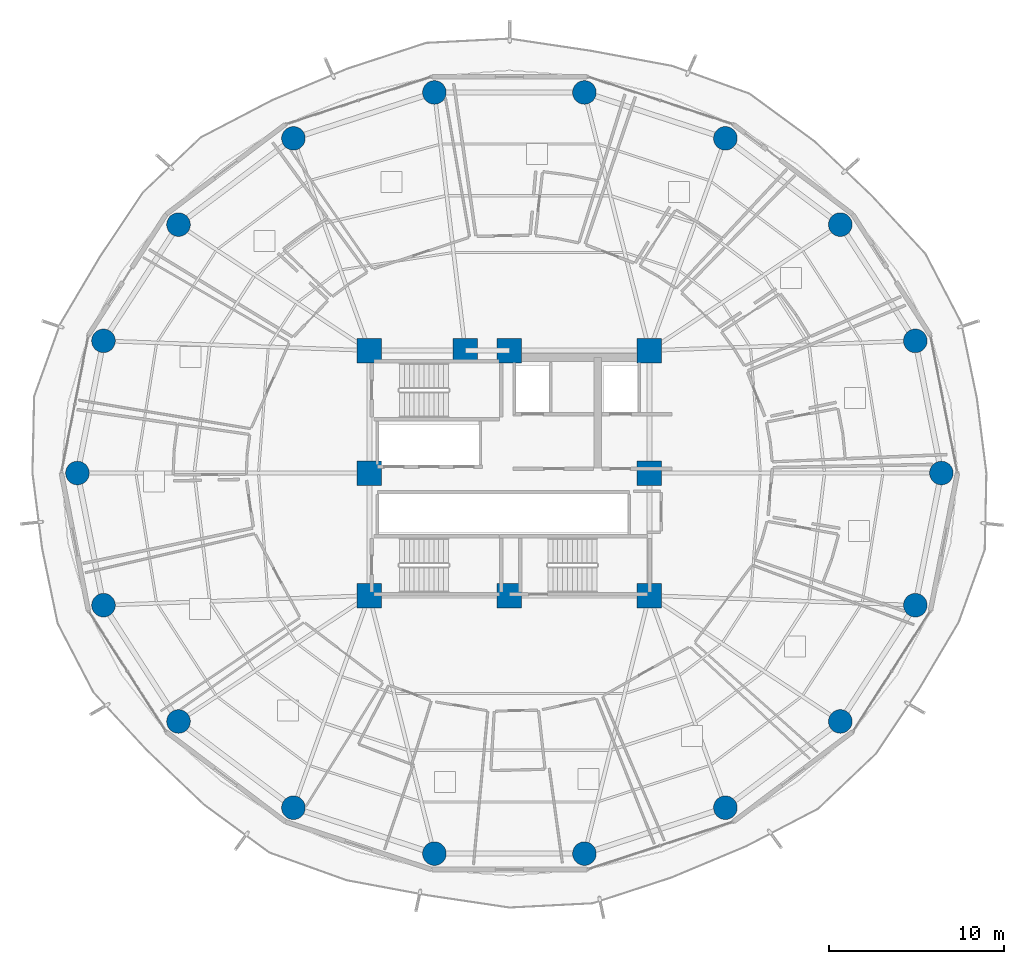
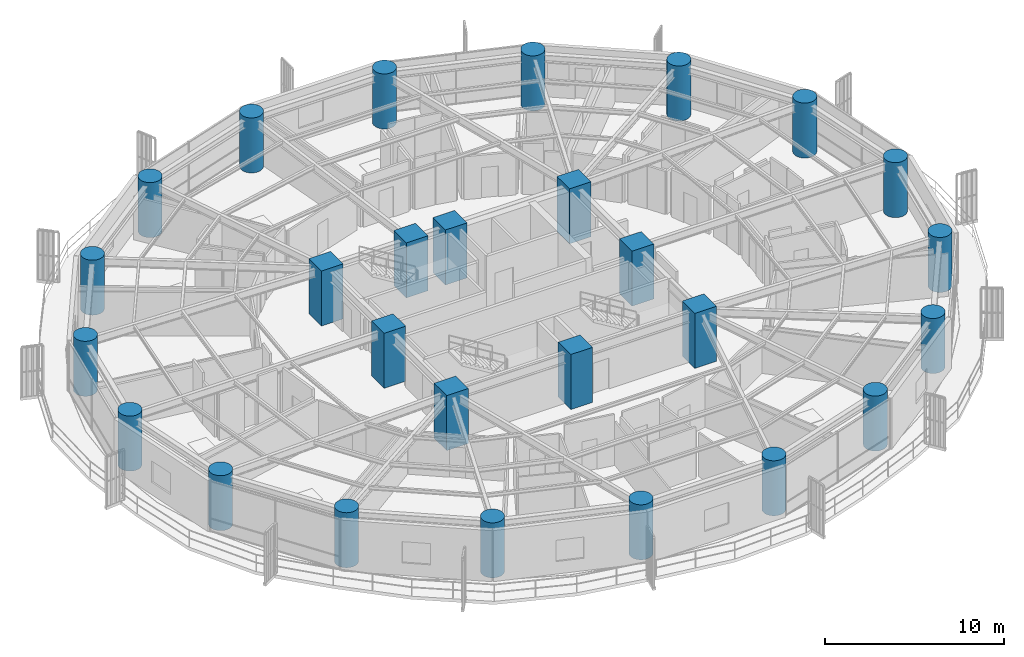
# One storey, part 1 of 35: 27 columns.
"""IFC4 building model written with IfcOpenShell, lengths in metres."""

from ifc_helpers import new_model, si_unit, direction, frame, origin, origin_2d, place, context, subcontext, project, spatial, rectangle, circle, extrude, material, material_profile, profile_set, type_object, element, save


model = new_model("IFC4")

# Units and contexts
model_context = context("Model", 3, precision=1e-05, world=origin(), true_north=direction((0.0, 1.0)))
body_context = subcontext(model_context, "Body", "Model", "MODEL_VIEW")
ifc_project = project(units=[si_unit("LENGTHUNIT", "METRE"), si_unit("AREAUNIT", "SQUARE_METRE"), si_unit("VOLUMEUNIT", "CUBIC_METRE"), si_unit("PLANEANGLEUNIT", "RADIAN"), si_unit("MASSUNIT", "GRAM", prefix="KILO")], contexts=[model_context])

# Site, building, storey
site_placement = place(None, origin())
site = spatial("IfcSite", under=ifc_project, at=site_placement, CompositionType="ELEMENT")
building_placement = place(site_placement, origin())
building = spatial("IfcBuilding", under=site, at=building_placement, Name="Kelanora Arch Commons", CompositionType="ELEMENT")
storey_placement = place(building_placement, frame((0.0, 0.0, 91.35009765625)))
storey = spatial("IfcBuildingStorey", under=building, at=storey_placement, Name="L23", CompositionType="ELEMENT", Elevation=91.35009765625)

# Columns
ifc_material = material(Name="Concrete C60/75", Category="concrete")
ifc_material_profile_1 = material_profile(ifc_material, circle(Radius=0.675048828125, at=origin_2d()), Name="RCC1350")
ifc_profile_set_1 = profile_set([ifc_material_profile_1], Name="Concrete C60/75")
column_type_1 = type_object("IfcColumnType", Name="COL-PERIM-Z2", PredefinedType="COLUMN", material=ifc_profile_set_1)
for number, where, z_axis, x_axis, name in (
    (1, (98.679931640625, 58.0, 0.0), (0.0, 0.0, 1.0), (1.0, 0.0, 0.0), "Perimeter Ring Column CP-00 L23"),
    (2, (97.191650390625, 65.5517578125, 0.0), (0.0, 0.0, 1.0), (1.0, 0.0, 0.0), "Perimeter Ring Column CP-02 L23"),
    (3, (92.906005859375, 72.19287109375, 0.0), (0.0, 0.0, 1.0), (1.0, 0.0, 0.0), "Perimeter Ring Column CP-04 L23"),
    (4, (86.340087890625, 77.121826171875, 0.0), (0.0, 0.0, 1.0), (1.0, 0.0, 0.0), "Perimeter Ring Column CP-06 L23"),
    (5, (78.28564453125, 79.74462890625, 0.0), (0.0, 0.0, 1.0), (1.0, 0.0, 0.0), "Perimeter Ring Column CP-08 L23"),
    (6, (69.71435546875, 79.74462890625, 0.0), (0.0, 0.0, 1.0), (1.0, 0.0, 0.0), "Perimeter Ring Column CP-10 L23"),
    (7, (61.659912109375, 77.121826171875, 0.0), (0.0, 0.0, 1.0), (1.0, 0.0, 0.0), "Perimeter Ring Column CP-12 L23"),
    (8, (55.093994140625, 72.19287109375, 0.0), (0.0, 0.0, 1.0), (1.0, 0.0, 0.0), "Perimeter Ring Column CP-14 L23"),
    (9, (50.808349609375, 65.5517578125, 0.0), (0.0, 0.0, 1.0), (1.0, 0.0, 0.0), "Perimeter Ring Column CP-16 L23"),
    (10, (49.320068359375, 58.0, 0.0), (0.0, 0.0, 1.0), (1.0, 0.0, 0.0), "Perimeter Ring Column CP-18 L23"),
    (11, (50.808349609375, 50.4482421875, 0.0), (0.0, 0.0, 1.0), (1.0, 0.0, 0.0), "Perimeter Ring Column CP-20 L23"),
    (12, (55.093994140625, 43.80712890625, 0.0), (0.0, 0.0, 1.0), (1.0, 0.0, 0.0), "Perimeter Ring Column CP-22 L23"),
    (13, (61.659912109375, 38.878173828125, 0.0), (0.0, 0.0, 1.0), (1.0, 0.0, 0.0), "Perimeter Ring Column CP-24 L23"),
    (14, (69.71435546875, 36.25537109375, 0.0), (0.0, 0.0, 1.0), (1.0, 0.0, 0.0), "Perimeter Ring Column CP-26 L23"),
    (15, (78.28564453125, 36.25537109375, 0.0), (0.0, 0.0, 1.0), (1.0, 0.0, 0.0), "Perimeter Ring Column CP-28 L23"),
    (16, (86.340087890625, 38.878173828125, 0.0), (0.0, 0.0, 1.0), (1.0, 0.0, 0.0), "Perimeter Ring Column CP-30 L23"),
    (17, (92.906005859375, 43.80712890625, 0.0), (0.0, 0.0, 1.0), (1.0, 0.0, 0.0), "Perimeter Ring Column CP-32 L23"),
    (18, (97.191650390625, 50.4482421875, 0.0), (0.0, 0.0, 1.0), (1.0, 0.0, 0.0), "Perimeter Ring Column CP-34 L23"),
):
    element("IfcColumn", number, at=place(storey_placement, frame(where, z_axis=z_axis, x_axis=x_axis)), inside=storey, type_object=column_type_1, Name=name, PredefinedType="COLUMN", context=body_context, shape_type="SweptSolid", body=[
        extrude(circle(Radius=0.675048828125, at=origin_2d()), origin(), (0.0, 0.0, 1.0), 3.75),
    ])
ifc_material_profile_2 = material_profile(ifc_material, rectangle(XDim=1.39990234375, YDim=1.39990234375, at=origin_2d()), Name="RC1400x1400")
ifc_profile_set_2 = profile_set([ifc_material_profile_2], Name="Concrete C60/75")
column_type_2 = type_object("IfcColumnType", Name="COL-PIL-LOW", PredefinedType="PILASTER", material=ifc_profile_set_2)
for number, where, z_axis, x_axis, name in (
    (19, (66.0, 51.0, 0.0), (0.0, 0.0, 1.0), (1.0, 0.0, 0.0), "Core Pilaster Column CP1 L23"),
    (20, (74.0, 51.0, 0.0), (0.0, 0.0, 1.0), (1.0, 0.0, 0.0), "Core Pilaster Column CP2 L23"),
    (21, (82.0, 51.0, 0.0), (0.0, 0.0, 1.0), (1.0, 0.0, 0.0), "Core Pilaster Column CP3 L23"),
    (22, (82.0, 58.0, 0.0), (0.0, 0.0, 1.0), (1.0, 0.0, 0.0), "Core Pilaster Column CP4 L23"),
    (23, (82.0, 65.0, 0.0), (0.0, 0.0, 1.0), (1.0, 0.0, 0.0), "Core Pilaster Column CP5 L23"),
    (24, (74.0, 65.0, 0.0), (0.0, 0.0, 1.0), (1.0, 0.0, 0.0), "Core Pilaster Column CP6 L23"),
    (25, (71.47998046875, 65.0, 0.0), (0.0, 0.0, 1.0), (1.0, 0.0, 0.0), "Core Pilaster Column CP9 L23"),
    (26, (66.0, 65.0, 0.0), (0.0, 0.0, 1.0), (1.0, 0.0, 0.0), "Core Pilaster Column CP7 L23"),
    (27, (66.0, 58.0, 0.0), (0.0, 0.0, 1.0), (1.0, 0.0, 0.0), "Core Pilaster Column CP8 L23"),
):
    element("IfcColumn", number, at=place(storey_placement, frame(where, z_axis=z_axis, x_axis=x_axis)), inside=storey, type_object=column_type_2, Name=name, PredefinedType="PILASTER", context=body_context, shape_type="SweptSolid", body=[
        extrude(rectangle(XDim=1.39990234375, YDim=1.39990234375, at=origin_2d()), origin(), (0.0, 0.0, 1.0), 3.75),
    ])

save(model, "model.ifc")
